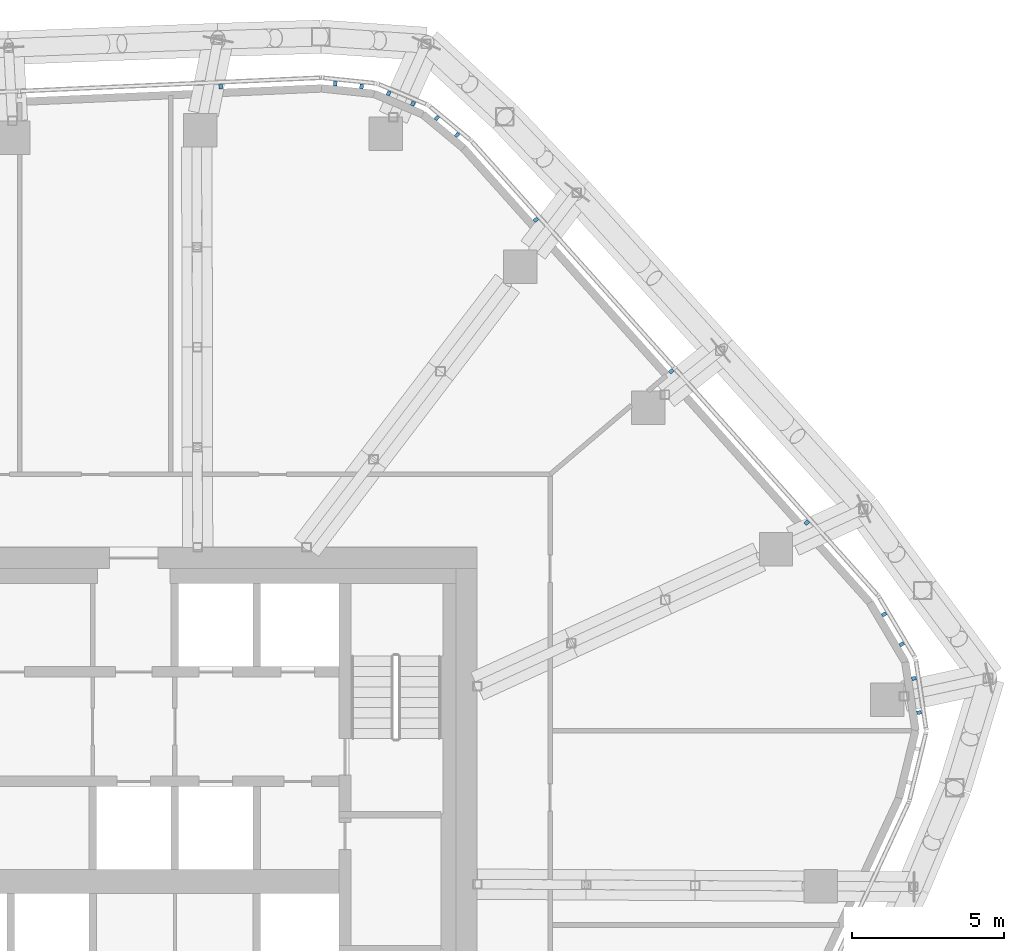
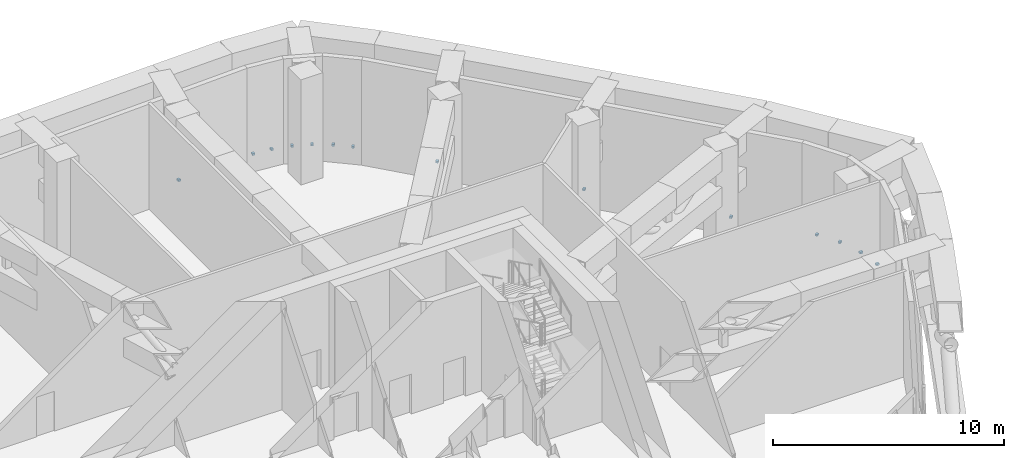
# One storey, part 24 of 31: 14 discrete accessories, 4 elements without a shape of their own.
"""IFC4 building model written with IfcOpenShell, lengths in metres."""

from ifc_helpers import new_model, si_unit, direction, frame, origin, origin_2d, place, context, subcontext, project, spatial, rectangle, extrude, material, layer, layer_set, type_object, element, aggregate, save


model = new_model("IFC4")

# Units and contexts
model_context = context("Model", 3, precision=1e-05, world=origin(), true_north=direction((0.0, 1.0)))
body_context = subcontext(model_context, "Body", "Model", "MODEL_VIEW")
ifc_project = project(units=[si_unit("LENGTHUNIT", "METRE"), si_unit("AREAUNIT", "SQUARE_METRE"), si_unit("VOLUMEUNIT", "CUBIC_METRE"), si_unit("PLANEANGLEUNIT", "RADIAN"), si_unit("MASSUNIT", "GRAM", prefix="KILO")], contexts=[model_context])

# Site, building, storey
site_placement = place(None, origin())
site = spatial("IfcSite", under=ifc_project, at=site_placement, CompositionType="ELEMENT")
building_placement = place(site_placement, origin())
building = spatial("IfcBuilding", under=site, at=building_placement, Name="Dongbaek Canopy Tower", CompositionType="ELEMENT")
storey_placement = place(building_placement, frame((0.0, 0.0, 283.199951171875)))
storey = spatial("IfcBuildingStorey", under=building, at=storey_placement, Name="L60", CompositionType="ELEMENT", Elevation=283.199951171875)

# Curtain wall, discrete accessories
ifc_material_1 = material(Name="Aluminium 6063-T6 pale anodised", Category="aluminium")
ifc_layer = layer(ifc_material_1, 0.14990234375)
ifc_layer_set = layer_set([ifc_layer], Name="CW-7 louvre curtain wall")
curtain_wall_type = type_object("IfcCurtainWallType", Name="CW-7 louvre curtain wall", PredefinedType="NOTDEFINED", material=ifc_layer_set)
curtain_wall_1_placement = place(storey_placement, origin())
curtain_wall_1 = element("IfcCurtainWall", 1, at=curtain_wall_1_placement, inside=storey, type_object=curtain_wall_type, Name="CW-7 louvre wall L60 K0", PredefinedType="NOTDEFINED")
ifc_material_2 = material(Name="Galvanised steel S355 bracket", Category="steel")
discrete_accessory_type = type_object("IfcDiscreteAccessoryType", Name="Louvre bracket BR1", PredefinedType="BRACKET", material=ifc_material_2)
discrete_accessory_1_placement = place(storey_placement, frame((28.5361328125, 5.560546875, 0.6650390625), z_axis=(0.0, 0.0, 1.0), x_axis=(-0.147441670683, 0.989070752649, 0.0)))
discrete_accessory_1 = element("IfcDiscreteAccessory", 2, at=discrete_accessory_1_placement, type_object=discrete_accessory_type, Name="Louvre bracket L60 K0.2.1", PredefinedType="BRACKET", context=body_context, shape_type="SweptSolid", body=[
    extrude(rectangle(XDim=0.1201171875, YDim=0.14990234375, at=origin_2d()), origin(), (0.0, 0.0, 1.0), 0.10009765625),
])
discrete_accessory_2_placement = place(storey_placement, frame((28.368408203125, 6.684814453125, 0.6650390625), z_axis=(0.0, 0.0, 1.0), x_axis=(-0.147441670683, 0.989070752649, 0.0)))
discrete_accessory_2 = element("IfcDiscreteAccessory", 3, at=discrete_accessory_2_placement, type_object=discrete_accessory_type, Name="Louvre bracket L60 K0.2.2", PredefinedType="BRACKET", context=body_context, shape_type="SweptSolid", body=[
    extrude(rectangle(XDim=0.1201171875, YDim=0.14990234375, at=origin_2d()), origin(), (0.0, 0.0, 1.0), 0.10009765625),
])
discrete_accessory_3_placement = place(storey_placement, frame((27.96728515625, 7.810302734375, 0.6650390625), z_axis=(0.0, 0.0, 1.0), x_axis=(-0.510545557445, 0.859850704351, 0.0)))
discrete_accessory_3 = element("IfcDiscreteAccessory", 4, at=discrete_accessory_3_placement, type_object=discrete_accessory_type, Name="Louvre bracket L60 K0.3.1", PredefinedType="BRACKET", context=body_context, shape_type="SweptSolid", body=[
    extrude(rectangle(XDim=0.1201171875, YDim=0.14990234375, at=origin_2d()), origin(), (0.0, 0.0, 1.0), 0.10009765625),
])
discrete_accessory_4_placement = place(storey_placement, frame((27.384521484375, 8.791748046875, 0.6650390625), z_axis=(0.0, 0.0, 1.0), x_axis=(-0.510545557445, 0.859850704351, 0.0)))
discrete_accessory_4 = element("IfcDiscreteAccessory", 5, at=discrete_accessory_4_placement, type_object=discrete_accessory_type, Name="Louvre bracket L60 K0.3.2", PredefinedType="BRACKET", context=body_context, shape_type="SweptSolid", body=[
    extrude(rectangle(XDim=0.1201171875, YDim=0.14990234375, at=origin_2d()), origin(), (0.0, 0.0, 1.0), 0.10009765625),
])
aggregate(curtain_wall_1, [discrete_accessory_1, discrete_accessory_2, discrete_accessory_3, discrete_accessory_4])

curtain_wall_2_placement = place(storey_placement, origin())
curtain_wall_2 = element("IfcCurtainWall", 6, at=curtain_wall_2_placement, inside=storey, type_object=curtain_wall_type, Name="CW-7 louvre wall L60 F0", PredefinedType="NOTDEFINED")
discrete_accessory_5_placement = place(storey_placement, frame((24.84130859375, 11.805908203125, 0.6650390625), z_axis=(0.0, 0.0, 1.0), x_axis=(-0.666674480113, 0.745349003867, 0.0)))
discrete_accessory_5 = element("IfcDiscreteAccessory", 7, at=discrete_accessory_5_placement, type_object=discrete_accessory_type, Name="Louvre bracket L60 F0.1.1", PredefinedType="BRACKET", context=body_context, shape_type="SweptSolid", body=[
    extrude(rectangle(XDim=0.1201171875, YDim=0.14990234375, at=origin_2d()), origin(), (0.0, 0.0, 1.0), 0.10009765625),
])
discrete_accessory_6_placement = place(storey_placement, frame((20.383544921875, 16.789794921875, 0.6650390625), z_axis=(0.0, 0.0, 1.0), x_axis=(-0.666674480113, 0.745349003867, 0.0)))
discrete_accessory_6 = element("IfcDiscreteAccessory", 8, at=discrete_accessory_6_placement, type_object=discrete_accessory_type, Name="Louvre bracket L60 F0.1.2", PredefinedType="BRACKET", context=body_context, shape_type="SweptSolid", body=[
    extrude(rectangle(XDim=0.1201171875, YDim=0.14990234375, at=origin_2d()), origin(), (0.0, 0.0, 1.0), 0.10009765625),
])
discrete_accessory_7_placement = place(storey_placement, frame((15.925537109375, 21.773681640625, 0.6650390625), z_axis=(0.0, 0.0, 1.0), x_axis=(-0.666674480113, 0.745349003867, 0.0)))
discrete_accessory_7 = element("IfcDiscreteAccessory", 9, at=discrete_accessory_7_placement, type_object=discrete_accessory_type, Name="Louvre bracket L60 F0.1.3", PredefinedType="BRACKET", context=body_context, shape_type="SweptSolid", body=[
    extrude(rectangle(XDim=0.1201171875, YDim=0.14990234375, at=origin_2d()), origin(), (0.0, 0.0, 1.0), 0.10009765625),
])
aggregate(curtain_wall_2, [discrete_accessory_5, discrete_accessory_6, discrete_accessory_7])

curtain_wall_3_placement = place(storey_placement, origin())
curtain_wall_3 = element("IfcCurtainWall", 10, at=curtain_wall_3_placement, inside=storey, type_object=curtain_wall_type, Name="CW-7 louvre wall L60 K1", PredefinedType="NOTDEFINED")
discrete_accessory_8_placement = place(storey_placement, frame((13.34033203125, 24.564697265625, 0.6650390625), z_axis=(0.0, 0.0, 1.0), x_axis=(-0.769028273415, 0.639214764135, 0.0)))
discrete_accessory_8 = element("IfcDiscreteAccessory", 11, at=discrete_accessory_8_placement, type_object=discrete_accessory_type, Name="Louvre bracket L60 K1.1.1", PredefinedType="BRACKET", context=body_context, shape_type="SweptSolid", body=[
    extrude(rectangle(XDim=0.1201171875, YDim=0.14990234375, at=origin_2d()), origin(), (0.0, 0.0, 1.0), 0.10009765625),
])
discrete_accessory_9_placement = place(storey_placement, frame((12.67041015625, 25.121337890625, 0.6650390625), z_axis=(0.0, 0.0, 1.0), x_axis=(-0.769028273415, 0.639214764135, 0.0)))
discrete_accessory_9 = element("IfcDiscreteAccessory", 12, at=discrete_accessory_9_placement, type_object=discrete_accessory_type, Name="Louvre bracket L60 K1.1.2", PredefinedType="BRACKET", context=body_context, shape_type="SweptSolid", body=[
    extrude(rectangle(XDim=0.1201171875, YDim=0.14990234375, at=origin_2d()), origin(), (0.0, 0.0, 1.0), 0.10009765625),
])
discrete_accessory_10_placement = place(storey_placement, frame((11.885498046875, 25.5986328125, 0.6650390625), z_axis=(0.0, 0.0, 1.0), x_axis=(-0.921716285141, 0.38786478276, 0.0)))
discrete_accessory_10 = element("IfcDiscreteAccessory", 13, at=discrete_accessory_10_placement, type_object=discrete_accessory_type, Name="Louvre bracket L60 K1.2.1", PredefinedType="BRACKET", context=body_context, shape_type="SweptSolid", body=[
    extrude(rectangle(XDim=0.1201171875, YDim=0.14990234375, at=origin_2d()), origin(), (0.0, 0.0, 1.0), 0.10009765625),
])
discrete_accessory_11_placement = place(storey_placement, frame((11.0859375, 25.93505859375, 0.6650390625), z_axis=(0.0, 0.0, 1.0), x_axis=(-0.921716285141, 0.38786478276, 0.0)))
discrete_accessory_11 = element("IfcDiscreteAccessory", 14, at=discrete_accessory_11_placement, type_object=discrete_accessory_type, Name="Louvre bracket L60 K1.2.2", PredefinedType="BRACKET", context=body_context, shape_type="SweptSolid", body=[
    extrude(rectangle(XDim=0.1201171875, YDim=0.14990234375, at=origin_2d()), origin(), (0.0, 0.0, 1.0), 0.10009765625),
])
discrete_accessory_12_placement = place(storey_placement, frame((10.196044921875, 26.16259765625, 0.6650390625), z_axis=(0.0, 0.0, 1.0), x_axis=(-0.99468464791, 0.102968204863, 0.0)))
discrete_accessory_12 = element("IfcDiscreteAccessory", 15, at=discrete_accessory_12_placement, type_object=discrete_accessory_type, Name="Louvre bracket L60 K1.3.1", PredefinedType="BRACKET", context=body_context, shape_type="SweptSolid", body=[
    extrude(rectangle(XDim=0.1201171875, YDim=0.14990234375, at=origin_2d()), origin(), (0.0, 0.0, 1.0), 0.10009765625),
])
discrete_accessory_13_placement = place(storey_placement, frame((9.32958984375, 26.25244140625, 0.6650390625), z_axis=(0.0, 0.0, 1.0), x_axis=(-0.99468464791, 0.102968204863, 0.0)))
discrete_accessory_13 = element("IfcDiscreteAccessory", 16, at=discrete_accessory_13_placement, type_object=discrete_accessory_type, Name="Louvre bracket L60 K1.3.2", PredefinedType="BRACKET", context=body_context, shape_type="SweptSolid", body=[
    extrude(rectangle(XDim=0.1201171875, YDim=0.14990234375, at=origin_2d()), origin(), (0.0, 0.0, 1.0), 0.10009765625),
])
aggregate(curtain_wall_3, [discrete_accessory_8, discrete_accessory_9, discrete_accessory_10, discrete_accessory_11, discrete_accessory_12, discrete_accessory_13])

# Curtain wall, discrete accessory
curtain_wall_4_placement = place(storey_placement, origin())
curtain_wall_4 = element("IfcCurtainWall", 17, at=curtain_wall_4_placement, inside=storey, type_object=curtain_wall_type, Name="CW-7 louvre wall L60 F1", PredefinedType="NOTDEFINED")
discrete_accessory_14_placement = place(storey_placement, frame((5.5576171875, 26.151123046875, 0.6650390625), z_axis=(0.0, 0.0, 1.0), x_axis=(-0.999013132127, -0.044415783654, 0.0)))
discrete_accessory_14 = element("IfcDiscreteAccessory", 18, at=discrete_accessory_14_placement, type_object=discrete_accessory_type, Name="Louvre bracket L60 F1.1.1", PredefinedType="BRACKET", context=body_context, shape_type="SweptSolid", body=[
    extrude(rectangle(XDim=0.1201171875, YDim=0.14990234375, at=origin_2d()), origin(), (0.0, 0.0, 1.0), 0.10009765625),
])
aggregate(curtain_wall_4, [discrete_accessory_14])

save(model, "model.ifc")
